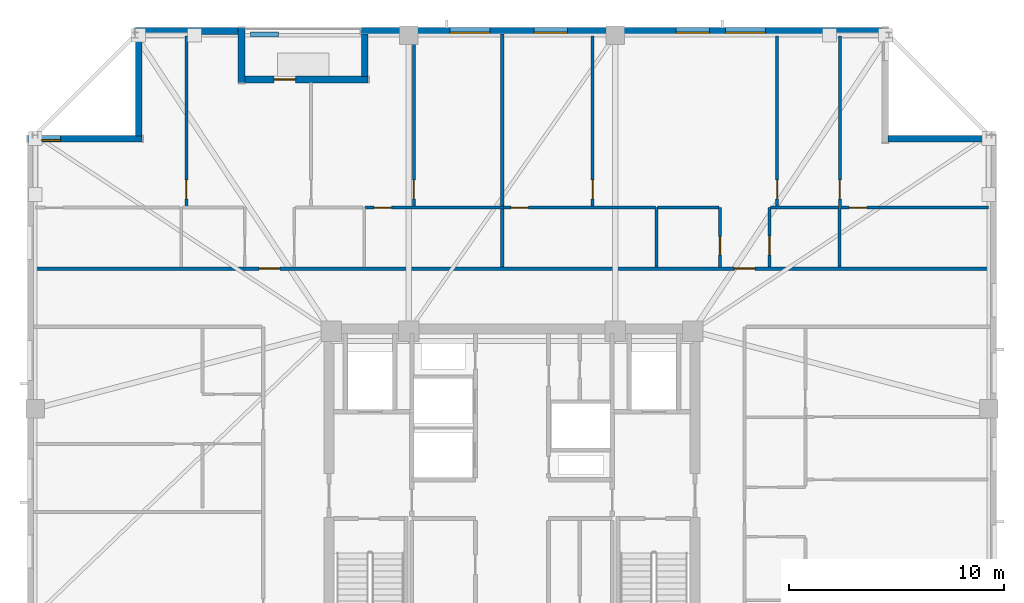
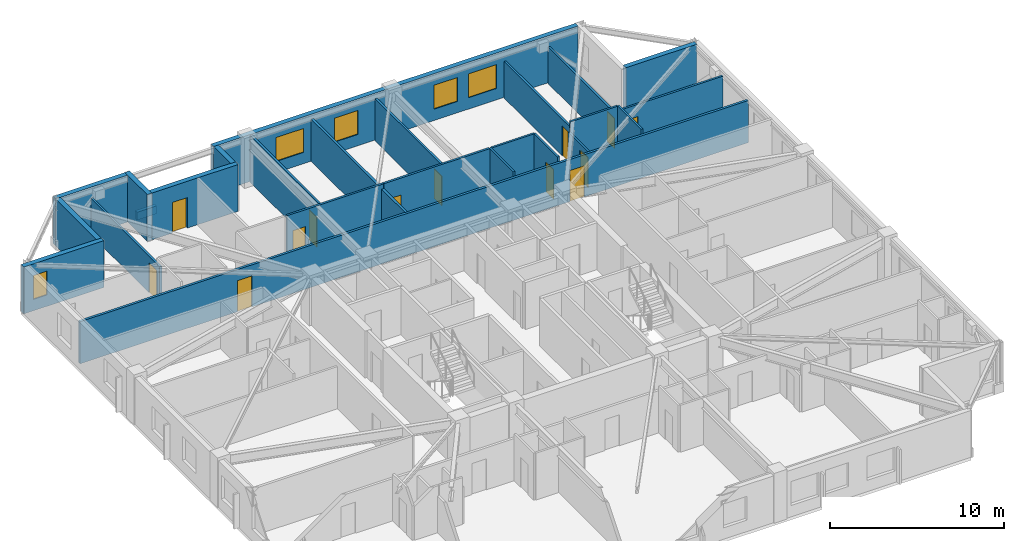
# One storey, part 11 of 17: 25 walls, 13 doors, 5 windows, 18 openings.
"""IFC4 building model written with IfcOpenShell, lengths in metres."""

from ifc_helpers import new_model, si_unit, direction, frame, frame_2d, origin, place, context, subcontext, project, spatial, rectangle, extrude, material, layer, layer_set, type_object, element, fill, save


model = new_model("IFC4")

# Units and contexts
model_context = context("Model", 3, precision=1e-05, world=origin(), true_north=direction((0.0, 1.0)))
body_context = subcontext(model_context, "Body", "Model", "MODEL_VIEW")
ifc_project = project(units=[si_unit("LENGTHUNIT", "METRE"), si_unit("AREAUNIT", "SQUARE_METRE"), si_unit("VOLUMEUNIT", "CUBIC_METRE"), si_unit("PLANEANGLEUNIT", "RADIAN"), si_unit("MASSUNIT", "GRAM", prefix="KILO")], contexts=[model_context])

# Site, building, storey
site_placement = place(None, origin())
site = spatial("IfcSite", under=ifc_project, at=site_placement, CompositionType="ELEMENT")
building_placement = place(site_placement, origin())
building = spatial("IfcBuilding", under=site, at=building_placement, Name="Cairnveth Concourse Tower", CompositionType="ELEMENT")
storey_placement = place(building_placement, frame((0.0, 0.0, 216.5)))
storey = spatial("IfcBuildingStorey", under=building, at=storey_placement, Name="L59", CompositionType="ELEMENT", Elevation=216.5)

# Wall, openings, doors
ifc_material_1 = material(Name="Gypsum Plasterboard Partition", Category="gypsum")
ifc_layer_1 = layer(ifc_material_1, 0.159912109375)
ifc_layer_set_1 = layer_set([ifc_layer_1], Name="Gypsum Plasterboard Partition")
wall_type_1 = type_object("IfcWallType", Name="ACOUSTIC PARTY WALL 180", PredefinedType="PARTITIONING", material=ifc_layer_set_1)
wall_1_placement = place(storey_placement, frame((29.804931640625, 50.31005859375, 0.0), z_axis=(0.0, 0.0, 1.0), x_axis=(1.0, 0.0, 0.0)))
wall_1 = element("IfcWall", 1, at=wall_1_placement, inside=storey, type_object=wall_type_1, Name="Interior Wall IW-L59-037", PredefinedType="PARTITIONING", context=body_context, shape_type="SweptSolid", body=[
    extrude(rectangle(XDim=44.39013671875, YDim=0.159912109375, at=frame_2d((22.195068359375, 0.0))), origin(), (0.0, 0.0, 1.0), 2.9580078125),
])
opening_1_placement = place(wall_1_placement, frame((10.447509765625, 0.0, 0.0)))
opening_1 = element("IfcOpeningElement", 2, at=opening_1_placement, cuts=wall_1, Name="Opening ID10", PredefinedType="OPENING", context=body_context, shape_type="SweptSolid", body=[
    extrude(rectangle(XDim=0.9599609375, YDim=2.179931640625, at=frame_2d((0.47998046875, 1.08984375))), frame((0.0, 0.08984375, 0.0), z_axis=(0.0, -1.0, 0.0), x_axis=(1.0, 0.0, 0.0)), (0.0, 0.0, 1.0), 0.179931640625),
])
opening_2_placement = place(wall_1_placement, frame((32.527587890625, 0.0, 0.0)))
opening_2 = element("IfcOpeningElement", 3, at=opening_2_placement, cuts=wall_1, Name="Opening ID10", PredefinedType="OPENING", context=body_context, shape_type="SweptSolid", body=[
    extrude(rectangle(XDim=0.9599609375, YDim=2.179931640625, at=frame_2d((0.47998046875, 1.08984375))), frame((0.0, 0.08984375, 0.0), z_axis=(0.0, -1.0, 0.0), x_axis=(1.0, 0.0, 0.0)), (0.0, 0.0, 1.0), 0.179931640625),
])
ifc_material_2 = material(Name="Solid Core Hardwood Timber Leaf", Category="wood")
door_type_1 = type_object("IfcDoorType", Name="FLAT ENTRANCE DOOR 960X2150", OperationType="NOTDEFINED", PredefinedType="DOOR", material=ifc_material_2)
door_1_placement = place(opening_1_placement, origin())
door_1 = element("IfcDoor", 4, at=door_1_placement, inside=storey, type_object=door_type_1, Name="Apartment L59N1 Entrance Door", OperationType="SINGLE_SWING_LEFT", OverallHeight=2.179931640625, OverallWidth=0.9599609375, PredefinedType="DOOR", context=body_context, shape_type="SweptSolid", body=[
    extrude(rectangle(XDim=0.9599609375, YDim=2.179931640625, at=frame_2d((0.47998046875, 1.08984375))), frame((0.0, 0.02490234375, 0.0), z_axis=(0.0, -1.0, 0.0), x_axis=(1.0, 0.0, 0.0)), (0.0, 0.0, 1.0), 0.050048828125),
])
fill(opening_1, door_1)
door_2_placement = place(opening_2_placement, origin())
door_2 = element("IfcDoor", 5, at=door_2_placement, inside=storey, type_object=door_type_1, Name="Apartment L59N2 Entrance Door", OperationType="SINGLE_SWING_LEFT", OverallHeight=2.179931640625, OverallWidth=0.9599609375, PredefinedType="DOOR", context=body_context, shape_type="SweptSolid", body=[
    extrude(rectangle(XDim=0.9599609375, YDim=2.179931640625, at=frame_2d((0.47998046875, 1.08984375))), frame((0.0, 0.02490234375, 0.0), z_axis=(0.0, -1.0, 0.0), x_axis=(1.0, 0.0, 0.0)), (0.0, 0.0, 1.0), 0.050048828125),
])
fill(opening_2, door_2)

# Wall
wall_2_placement = place(storey_placement, frame((51.544921875, 50.375, 0.0), z_axis=(0.0, 0.0, 1.0), x_axis=(0.0, 1.0, 0.0)))
element("IfcWall", 6, at=wall_2_placement, inside=storey, type_object=wall_type_1, Name="Interior Wall IW-L59-079", PredefinedType="PARTITIONING", context=body_context, shape_type="SweptSolid", body=[
    extrude(rectangle(XDim=10.820068359375, YDim=0.159912109375, at=frame_2d((5.41015625, 0.0))), origin(), (0.0, 0.0, 1.0), 2.9580078125),
])

# Wall, opening, door
ifc_layer_2 = layer(ifc_material_1, 0.139892578125)
ifc_layer_set_2 = layer_set([ifc_layer_2], Name="Gypsum Plasterboard Partition")
wall_type_2 = type_object("IfcWallType", Name="GYPSUM STUD PARTITION 140", PredefinedType="PARTITIONING", material=ifc_layer_set_2)
wall_3_placement = place(storey_placement, frame((36.8701171875, 53.18994140625, 0.0), z_axis=(0.0, 0.0, 1.0), x_axis=(0.0, 1.0, 0.0)))
wall_3 = element("IfcWall", 7, at=wall_3_placement, inside=storey, type_object=wall_type_2, Name="Interior Wall IW-L59-074", PredefinedType="PARTITIONING", context=body_context, shape_type="SweptSolid", body=[
    extrude(rectangle(XDim=7.93017578125, YDim=0.139892578125, at=frame_2d((3.965087890625, 0.0))), origin(), (0.0, 0.0, 1.0), 2.572998046875),
])
opening_3_placement = place(wall_3_placement, frame((0.360107421875, 0.0, 0.0)))
opening_3 = element("IfcOpeningElement", 8, at=opening_3_placement, cuts=wall_3, Name="Opening ID18", PredefinedType="OPENING", context=body_context, shape_type="SweptSolid", body=[
    extrude(rectangle(XDim=0.8798828125, YDim=2.10009765625, at=frame_2d((0.43994140625, 1.050048828125))), frame((0.0, 0.079833984375, 0.0), z_axis=(0.0, -1.0, 0.0), x_axis=(1.0, 0.0, 0.0)), (0.0, 0.0, 1.0), 0.159912109375),
])
door_type_2 = type_object("IfcDoorType", Name="INTERIOR SINGLE DOOR 880X2100", OperationType="NOTDEFINED", PredefinedType="DOOR", material=ifc_material_2)
door_3_placement = place(opening_3_placement, origin())
door_3 = element("IfcDoor", 9, at=door_3_placement, inside=storey, type_object=door_type_2, Name="L59N1 Master Bedroom Door", OperationType="SINGLE_SWING_LEFT", OverallHeight=2.10009765625, OverallWidth=0.8798828125, PredefinedType="DOOR", context=body_context, shape_type="SweptSolid", body=[
    extrude(rectangle(XDim=0.8798828125, YDim=2.10009765625, at=frame_2d((0.43994140625, 1.050048828125))), frame((0.0, 0.02490234375, 0.0), z_axis=(0.0, -1.0, 0.0), x_axis=(1.0, 0.0, 0.0)), (0.0, 0.0, 1.0), 0.050048828125),
])
fill(opening_3, door_3)

wall_4_placement = place(storey_placement, frame((47.445068359375, 53.10009765625, 0.0), z_axis=(0.0, 0.0, 1.0), x_axis=(0.0, 1.0, 0.0)))
wall_4 = element("IfcWall", 10, at=wall_4_placement, inside=storey, type_object=wall_type_2, Name="Interior Wall IW-L59-076", PredefinedType="PARTITIONING", context=body_context, shape_type="SweptSolid", body=[
    extrude(rectangle(XDim=8.02001953125, YDim=0.139892578125, at=frame_2d((4.010009765625, 0.0))), origin(), (0.0, 0.0, 1.0), 3.2900390625),
])
opening_4_placement = place(wall_4_placement, frame((0.449951171875, 0.0, 0.0)))
opening_4 = element("IfcOpeningElement", 11, at=opening_4_placement, cuts=wall_4, Name="Opening ID18", PredefinedType="OPENING", context=body_context, shape_type="SweptSolid", body=[
    extrude(rectangle(XDim=0.8798828125, YDim=2.10009765625, at=frame_2d((0.43994140625, 1.050048828125))), frame((0.0, 0.079833984375, 0.0), z_axis=(0.0, -1.0, 0.0), x_axis=(1.0, 0.0, 0.0)), (0.0, 0.0, 1.0), 0.159912109375),
])
door_4_placement = place(opening_4_placement, origin())
door_4 = element("IfcDoor", 12, at=door_4_placement, inside=storey, type_object=door_type_2, Name="L59N1 Bedroom 2 Door", OperationType="SINGLE_SWING_LEFT", OverallHeight=2.10009765625, OverallWidth=0.8798828125, PredefinedType="DOOR", context=body_context, shape_type="SweptSolid", body=[
    extrude(rectangle(XDim=0.8798828125, YDim=2.10009765625, at=frame_2d((0.43994140625, 1.050048828125))), frame((0.0, 0.02490234375, 0.0), z_axis=(0.0, -1.0, 0.0), x_axis=(1.0, 0.0, 0.0)), (0.0, 0.0, 1.0), 0.050048828125),
])
fill(opening_4, door_4)

wall_5_placement = place(storey_placement, frame((45.1826171875, 53.139892578125, 0.0), z_axis=(0.0, 0.0, 1.0), x_axis=(1.0, 0.0, 0.0)))
wall_5 = element("IfcWall", 13, at=wall_5_placement, inside=storey, type_object=wall_type_2, Name="Interior Wall IW-L59-077", PredefinedType="PARTITIONING", context=body_context, shape_type="SweptSolid", body=[
    extrude(rectangle(XDim=6.412353515625, YDim=0.139892578125, at=frame_2d((3.2060546875, 0.0))), origin(), (0.0, 0.0, 1.0), 3.2900390625),
])
opening_5_placement = place(wall_5_placement, frame((0.39990234375, 0.0, 0.0)))
opening_5 = element("IfcOpeningElement", 14, at=opening_5_placement, cuts=wall_5, Name="Opening ID22", PredefinedType="OPENING", context=body_context, shape_type="SweptSolid", body=[
    extrude(rectangle(XDim=0.820068359375, YDim=2.10009765625, at=frame_2d((0.41015625, 1.050048828125))), frame((0.0, 0.079833984375, 0.0), z_axis=(0.0, -1.0, 0.0), x_axis=(1.0, 0.0, 0.0)), (0.0, 0.0, 1.0), 0.159912109375),
])
door_type_3 = type_object("IfcDoorType", Name="INTERIOR WC DOOR 820X2100", OperationType="NOTDEFINED", PredefinedType="DOOR", material=ifc_material_2)
door_5_placement = place(opening_5_placement, origin())
door_5 = element("IfcDoor", 15, at=door_5_placement, inside=storey, type_object=door_type_3, Name="L59N1 Utility Door", OperationType="SINGLE_SWING_RIGHT", OverallHeight=2.10009765625, OverallWidth=0.820068359375, PredefinedType="DOOR", context=body_context, shape_type="SweptSolid", body=[
    extrude(rectangle(XDim=0.820068359375, YDim=2.10009765625, at=frame_2d((0.41015625, 1.050048828125))), frame((0.0, 0.02490234375, 0.0), z_axis=(0.0, -1.0, 0.0), x_axis=(1.0, 0.0, 0.0)), (0.0, 0.0, 1.0), 0.050048828125),
])
fill(opening_5, door_5)

wall_6_placement = place(storey_placement, frame((55.7451171875, 53.10009765625, 0.0), z_axis=(0.0, 0.0, 1.0), x_axis=(0.0, 1.0, 0.0)))
wall_6 = element("IfcWall", 16, at=wall_6_placement, inside=storey, type_object=wall_type_2, Name="Interior Wall IW-L59-086", PredefinedType="PARTITIONING", context=body_context, shape_type="SweptSolid", body=[
    extrude(rectangle(XDim=8.02001953125, YDim=0.139892578125, at=frame_2d((4.010009765625, 0.0))), origin(), (0.0, 0.0, 1.0), 2.9580078125),
])
opening_6_placement = place(wall_6_placement, frame((0.449951171875, 0.0, 0.0)))
opening_6 = element("IfcOpeningElement", 17, at=opening_6_placement, cuts=wall_6, Name="Opening ID18", PredefinedType="OPENING", context=body_context, shape_type="SweptSolid", body=[
    extrude(rectangle(XDim=0.8798828125, YDim=2.10009765625, at=frame_2d((0.43994140625, 1.050048828125))), frame((0.0, 0.079833984375, 0.0), z_axis=(0.0, -1.0, 0.0), x_axis=(1.0, 0.0, 0.0)), (0.0, 0.0, 1.0), 0.159912109375),
])
door_6_placement = place(opening_6_placement, origin())
door_6 = element("IfcDoor", 18, at=door_6_placement, inside=storey, type_object=door_type_2, Name="L59N2 Master Bedroom Door", OperationType="SINGLE_SWING_LEFT", OverallHeight=2.10009765625, OverallWidth=0.8798828125, PredefinedType="DOOR", context=body_context, shape_type="SweptSolid", body=[
    extrude(rectangle(XDim=0.8798828125, YDim=2.10009765625, at=frame_2d((0.43994140625, 1.050048828125))), frame((0.0, 0.02490234375, 0.0), z_axis=(0.0, -1.0, 0.0), x_axis=(1.0, 0.0, 0.0)), (0.0, 0.0, 1.0), 0.050048828125),
])
fill(opening_6, door_6)

wall_7_placement = place(storey_placement, frame((51.610107421875, 53.139892578125, 0.0), z_axis=(0.0, 0.0, 1.0), x_axis=(1.0, 0.0, 0.0)))
wall_7 = element("IfcWall", 19, at=wall_7_placement, inside=storey, type_object=wall_type_2, Name="Interior Wall IW-L59-087", PredefinedType="PARTITIONING", context=body_context, shape_type="SweptSolid", body=[
    extrude(rectangle(XDim=7.052490234375, YDim=0.139892578125, at=frame_2d((3.5263671875, 0.0))), origin(), (0.0, 0.0, 1.0), 3.2900390625),
])
opening_7_placement = place(wall_7_placement, frame((0.3349609375, 0.0, 0.0)))
opening_7 = element("IfcOpeningElement", 20, at=opening_7_placement, cuts=wall_7, Name="Opening ID22", PredefinedType="OPENING", context=body_context, shape_type="SweptSolid", body=[
    extrude(rectangle(XDim=0.820068359375, YDim=2.10009765625, at=frame_2d((0.41015625, 1.050048828125))), frame((0.0, 0.079833984375, 0.0), z_axis=(0.0, -1.0, 0.0), x_axis=(1.0, 0.0, 0.0)), (0.0, 0.0, 1.0), 0.159912109375),
])
door_7_placement = place(opening_7_placement, origin())
door_7 = element("IfcDoor", 21, at=door_7_placement, inside=storey, type_object=door_type_3, Name="L59N2 Dressing Door", OperationType="SINGLE_SWING_RIGHT", OverallHeight=2.10009765625, OverallWidth=0.820068359375, PredefinedType="DOOR", context=body_context, shape_type="SweptSolid", body=[
    extrude(rectangle(XDim=0.820068359375, YDim=2.10009765625, at=frame_2d((0.41015625, 1.050048828125))), frame((0.0, 0.02490234375, 0.0), z_axis=(0.0, -1.0, 0.0), x_axis=(1.0, 0.0, 0.0)), (0.0, 0.0, 1.0), 0.050048828125),
])
fill(opening_7, door_7)

wall_8_placement = place(storey_placement, frame((67.22998046875, 53.18994140625, 0.0), z_axis=(0.0, 0.0, 1.0), x_axis=(0.0, 1.0, 0.0)))
wall_8 = element("IfcWall", 22, at=wall_8_placement, inside=storey, type_object=wall_type_2, Name="Interior Wall IW-L59-088", PredefinedType="PARTITIONING", context=body_context, shape_type="SweptSolid", body=[
    extrude(rectangle(XDim=7.93017578125, YDim=0.139892578125, at=frame_2d((3.965087890625, 0.0))), origin(), (0.0, 0.0, 1.0), 2.572998046875),
])
opening_8_placement = place(wall_8_placement, frame((0.360107421875, 0.0, 0.0)))
opening_8 = element("IfcOpeningElement", 23, at=opening_8_placement, cuts=wall_8, Name="Opening ID18", PredefinedType="OPENING", context=body_context, shape_type="SweptSolid", body=[
    extrude(rectangle(XDim=0.8798828125, YDim=2.10009765625, at=frame_2d((0.43994140625, 1.050048828125))), frame((0.0, 0.079833984375, 0.0), z_axis=(0.0, -1.0, 0.0), x_axis=(1.0, 0.0, 0.0)), (0.0, 0.0, 1.0), 0.159912109375),
])
door_8_placement = place(opening_8_placement, origin())
door_8 = element("IfcDoor", 24, at=door_8_placement, inside=storey, type_object=door_type_2, Name="L59N2 Bedroom 2 Door", OperationType="SINGLE_SWING_LEFT", OverallHeight=2.10009765625, OverallWidth=0.8798828125, PredefinedType="DOOR", context=body_context, shape_type="SweptSolid", body=[
    extrude(rectangle(XDim=0.8798828125, YDim=2.10009765625, at=frame_2d((0.43994140625, 1.050048828125))), frame((0.0, 0.02490234375, 0.0), z_axis=(0.0, -1.0, 0.0), x_axis=(1.0, 0.0, 0.0)), (0.0, 0.0, 1.0), 0.050048828125),
])
fill(opening_8, door_8)

wall_9_placement = place(storey_placement, frame((67.284912109375, 53.139892578125, 0.0), z_axis=(0.0, 0.0, 1.0), x_axis=(1.0, 0.0, 0.0)))
wall_9 = element("IfcWall", 25, at=wall_9_placement, inside=storey, type_object=wall_type_2, Name="Interior Wall IW-L59-089", PredefinedType="PARTITIONING", context=body_context, shape_type="SweptSolid", body=[
    extrude(rectangle(XDim=6.844970703125, YDim=0.139892578125, at=frame_2d((3.42236328125, 0.0))), origin(), (0.0, 0.0, 1.0), 2.9580078125),
])
opening_9_placement = place(wall_9_placement, frame((0.37744140625, 0.0, 0.0)))
opening_9 = element("IfcOpeningElement", 26, at=opening_9_placement, cuts=wall_9, Name="Opening ID22", PredefinedType="OPENING", context=body_context, shape_type="SweptSolid", body=[
    extrude(rectangle(XDim=0.820068359375, YDim=2.10009765625, at=frame_2d((0.41015625, 1.050048828125))), frame((0.0, 0.079833984375, 0.0), z_axis=(0.0, -1.0, 0.0), x_axis=(1.0, 0.0, 0.0)), (0.0, 0.0, 1.0), 0.159912109375),
])
door_9_placement = place(opening_9_placement, origin())
door_9 = element("IfcDoor", 27, at=door_9_placement, inside=storey, type_object=door_type_3, Name="L59N2 Utility Door", OperationType="SINGLE_SWING_RIGHT", OverallHeight=2.10009765625, OverallWidth=0.820068359375, PredefinedType="DOOR", context=body_context, shape_type="SweptSolid", body=[
    extrude(rectangle(XDim=0.820068359375, YDim=2.10009765625, at=frame_2d((0.41015625, 1.050048828125))), frame((0.0, 0.02490234375, 0.0), z_axis=(0.0, -1.0, 0.0), x_axis=(1.0, 0.0, 0.0)), (0.0, 0.0, 1.0), 0.050048828125),
])
fill(opening_9, door_9)

wall_10_placement = place(storey_placement, frame((64.3125, 53.18994140625, 0.0), z_axis=(0.0, 0.0, 1.0), x_axis=(0.0, 1.0, 0.0)))
wall_10 = element("IfcWall", 28, at=wall_10_placement, inside=storey, type_object=wall_type_2, Name="Interior Wall IW-L59-090", PredefinedType="PARTITIONING", context=body_context, shape_type="SweptSolid", body=[
    extrude(rectangle(XDim=7.93017578125, YDim=0.139892578125, at=frame_2d((3.965087890625, 0.0))), origin(), (0.0, 0.0, 1.0), 2.572998046875),
])
opening_10_placement = place(wall_10_placement, frame((0.360107421875, 0.0, 0.0)))
opening_10 = element("IfcOpeningElement", 29, at=opening_10_placement, cuts=wall_10, Name="Opening ID18", PredefinedType="OPENING", context=body_context, shape_type="SweptSolid", body=[
    extrude(rectangle(XDim=0.8798828125, YDim=2.10009765625, at=frame_2d((0.43994140625, 1.050048828125))), frame((0.0, 0.079833984375, 0.0), z_axis=(0.0, -1.0, 0.0), x_axis=(1.0, 0.0, 0.0)), (0.0, 0.0, 1.0), 0.159912109375),
])
door_10_placement = place(opening_10_placement, origin())
door_10 = element("IfcDoor", 30, at=door_10_placement, inside=storey, type_object=door_type_2, Name="L59N2 Media Lounge Door", OperationType="SINGLE_SWING_RIGHT", OverallHeight=2.10009765625, OverallWidth=0.8798828125, PredefinedType="DOOR", context=body_context, shape_type="SweptSolid", body=[
    extrude(rectangle(XDim=0.8798828125, YDim=2.10009765625, at=frame_2d((0.43994140625, 1.050048828125))), frame((0.0, 0.02490234375, 0.0), z_axis=(0.0, -1.0, 0.0), x_axis=(1.0, 0.0, 0.0)), (0.0, 0.0, 1.0), 0.050048828125),
])
fill(opening_10, door_10)

# Walls
ifc_material_3 = material(Name="Dressed Melbourne Bluestone Cladding", Category="masonry")
ifc_layer_3 = layer(ifc_material_3, 0.219970703125)
ifc_layer_set_3 = layer_set([ifc_layer_3], Name="Dressed Melbourne Bluestone Cladding")
wall_type_3 = type_object("IfcWallType", Name="TERRACE PLANTER CURB WALL 220", PredefinedType="PARAPET", material=ifc_layer_set_3)
wall_11_placement = place(storey_placement, frame((39.85009765625, 61.179931640625, 0.0), z_axis=(0.0, 0.0, 1.0), x_axis=(1.0, 0.0, 0.0)))
element("IfcWall", 31, at=wall_11_placement, inside=storey, type_object=wall_type_3, Name="Exterior Wall PLNT-L59-TERR", PredefinedType="PARAPET", context=body_context, shape_type="SweptSolid", body=[
    extrude(rectangle(XDim=1.2998046875, YDim=0.219970703125, at=frame_2d((0.64990234375, 0.0))), origin(), (0.0, 0.0, 1.0), 0.550048828125),
])
ifc_layer_4 = layer(ifc_material_1, 0.1298828125)
ifc_layer_set_4 = layer_set([ifc_layer_4], Name="Gypsum Plasterboard Partition")
wall_type_4 = type_object("IfcWallType", Name="WET AREA PARTITION 140", PredefinedType="PLUMBINGWALL", material=ifc_layer_set_4)
wall_12_placement = place(storey_placement, frame((58.71240234375, 50.389892578125, 0.0), z_axis=(0.0, 0.0, 1.0), x_axis=(0.0, 1.0, 0.0)))
element("IfcWall", 32, at=wall_12_placement, inside=storey, type_object=wall_type_4, Name="Interior Wall IW-L59-080", PredefinedType="PLUMBINGWALL", context=body_context, shape_type="SweptSolid", body=[
    extrude(rectangle(XDim=2.75, YDim=0.1298828125, at=frame_2d((1.375, 0.0))), origin(), (0.0, 0.0, 1.0), 3.2900390625),
])

# Wall, opening, door
wall_13_placement = place(storey_placement, frame((61.66259765625, 50.389892578125, 0.0), z_axis=(0.0, 0.0, 1.0), x_axis=(0.0, 1.0, 0.0)))
wall_13 = element("IfcWall", 33, at=wall_13_placement, inside=storey, type_object=wall_type_4, Name="Interior Wall IW-L59-081", PredefinedType="PLUMBINGWALL", context=body_context, shape_type="SweptSolid", body=[
    extrude(rectangle(XDim=2.75, YDim=0.1298828125, at=frame_2d((1.375, 0.0))), origin(), (0.0, 0.0, 1.0), 3.2900390625),
])
opening_11_placement = place(wall_13_placement, frame((0.550048828125, 0.0, 0.0)))
opening_11 = element("IfcOpeningElement", 34, at=opening_11_placement, cuts=wall_13, Name="Opening ID21", PredefinedType="OPENING", context=body_context, shape_type="SweptSolid", body=[
    extrude(rectangle(XDim=0.85009765625, YDim=2.080078125, at=frame_2d((0.425048828125, 1.0400390625))), frame((0.0, 0.074951171875, 0.0), z_axis=(0.0, -1.0, 0.0), x_axis=(1.0, 0.0, 0.0)), (0.0, 0.0, 1.0), 0.14990234375),
])
door_type_4 = type_object("IfcDoorType", Name="INTERIOR WC DOOR 850X2100", OperationType="NOTDEFINED", PredefinedType="DOOR", material=ifc_material_2)
door_11_placement = place(opening_11_placement, origin())
door_11 = element("IfcDoor", 35, at=door_11_placement, inside=storey, type_object=door_type_4, Name="L59N2 Bathroom Door", OperationType="SINGLE_SWING_RIGHT", OverallHeight=2.080078125, OverallWidth=0.85009765625, PredefinedType="DOOR", context=body_context, shape_type="SweptSolid", body=[
    extrude(rectangle(XDim=0.85009765625, YDim=2.080078125, at=frame_2d((0.425048828125, 1.0400390625))), frame((0.0, 0.02490234375, 0.0), z_axis=(0.0, -1.0, 0.0), x_axis=(1.0, 0.0, 0.0)), (0.0, 0.0, 1.0), 0.050048828125),
])
fill(opening_11, door_11)

# Walls
wall_14_placement = place(storey_placement, frame((58.762451171875, 53.139892578125, 0.0), z_axis=(0.0, 0.0, 1.0), x_axis=(1.0, 0.0, 0.0)))
element("IfcWall", 36, at=wall_14_placement, inside=storey, type_object=wall_type_4, Name="Interior Wall IW-L59-082", PredefinedType="PLUMBINGWALL", context=body_context, shape_type="SweptSolid", body=[
    extrude(rectangle(XDim=2.85009765625, YDim=0.1298828125, at=frame_2d((1.425048828125, 0.0))), origin(), (0.0, 0.0, 1.0), 3.2900390625),
])
wall_15_placement = place(storey_placement, frame((67.21240234375, 50.389892578125, 0.0), z_axis=(0.0, 0.0, 1.0), x_axis=(0.0, 1.0, 0.0)))
element("IfcWall", 37, at=wall_15_placement, inside=storey, type_object=wall_type_4, Name="Interior Wall IW-L59-083", PredefinedType="PLUMBINGWALL", context=body_context, shape_type="SweptSolid", body=[
    extrude(rectangle(XDim=2.75, YDim=0.1298828125, at=frame_2d((1.375, 0.0))), origin(), (0.0, 0.0, 1.0), 3.2900390625),
])

# Wall, opening, door
wall_16_placement = place(storey_placement, frame((63.96240234375, 50.389892578125, 0.0), z_axis=(0.0, 0.0, 1.0), x_axis=(0.0, 1.0, 0.0)))
wall_16 = element("IfcWall", 38, at=wall_16_placement, inside=storey, type_object=wall_type_4, Name="Interior Wall IW-L59-084", PredefinedType="PLUMBINGWALL", context=body_context, shape_type="SweptSolid", body=[
    extrude(rectangle(XDim=2.75, YDim=0.1298828125, at=frame_2d((1.375, 0.0))), origin(), (0.0, 0.0, 1.0), 2.572998046875),
])
opening_12_placement = place(wall_16_placement, frame((0.550048828125, 0.0, 0.0)))
opening_12 = element("IfcOpeningElement", 39, at=opening_12_placement, cuts=wall_16, Name="Opening ID18", PredefinedType="OPENING", context=body_context, shape_type="SweptSolid", body=[
    extrude(rectangle(XDim=0.8798828125, YDim=2.10009765625, at=frame_2d((0.43994140625, 1.050048828125))), frame((0.0, 0.074951171875, 0.0), z_axis=(0.0, -1.0, 0.0), x_axis=(1.0, 0.0, 0.0)), (0.0, 0.0, 1.0), 0.14990234375),
])
door_12_placement = place(opening_12_placement, origin())
door_12 = element("IfcDoor", 40, at=door_12_placement, inside=storey, type_object=door_type_2, Name="L59N2 Kitchen Door", OperationType="SINGLE_SWING_LEFT", OverallHeight=2.10009765625, OverallWidth=0.8798828125, PredefinedType="DOOR", context=body_context, shape_type="SweptSolid", body=[
    extrude(rectangle(XDim=0.8798828125, YDim=2.10009765625, at=frame_2d((0.43994140625, 1.050048828125))), frame((0.0, 0.02490234375, 0.0), z_axis=(0.0, -1.0, 0.0), x_axis=(1.0, 0.0, 0.0)), (0.0, 0.0, 1.0), 0.050048828125),
])
fill(opening_12, door_12)

# Wall
wall_17_placement = place(storey_placement, frame((64.012451171875, 53.139892578125, 0.0), z_axis=(0.0, 0.0, 1.0), x_axis=(1.0, 0.0, 0.0)))
element("IfcWall", 41, at=wall_17_placement, inside=storey, type_object=wall_type_4, Name="Interior Wall IW-L59-085", PredefinedType="PLUMBINGWALL", context=body_context, shape_type="SweptSolid", body=[
    extrude(rectangle(XDim=3.150146484375, YDim=0.1298828125, at=frame_2d((1.5751953125, 0.0))), origin(), (0.0, 0.0, 1.0), 3.2900390625),
])

# Wall, openings, windows
ifc_material_4 = material(Name="Melbourne Buff Fired Clay Brick Masonry", Category="masonry")
ifc_layer_5 = layer(ifc_material_4, 0.320068359375)
ifc_layer_set_5 = layer_set([ifc_layer_5], Name="Melbourne Buff Fired Clay Brick Masonry")
wall_type_5 = type_object("IfcWallType", Name="ZONE 3 BRICK PIER SPANDREL WALL 320", PredefinedType="SOLIDWALL", material=ifc_layer_set_5)
wall_18_placement = place(storey_placement, frame((45.0, 61.340087890625, 0.0), z_axis=(0.0, 0.0, 1.0), x_axis=(1.0, 0.0, 0.0)))
wall_18 = element("IfcWall", 42, at=wall_18_placement, inside=storey, type_object=wall_type_5, Name="Exterior Wall EW-L59-S00", PredefinedType="SOLIDWALL", context=body_context, shape_type="SweptSolid", body=[
    extrude(rectangle(XDim=24.201904296875, YDim=0.320068359375, at=frame_2d((12.10107421875, 0.0))), origin(), (0.0, 0.0, 1.0), 3.2900390625),
])
opening_13_placement = place(wall_18_placement, frame((4.125244140625, 0.0, 0.800048828125)))
opening_13 = element("IfcOpeningElement", 43, at=opening_13_placement, cuts=wall_18, Name="Opening W08", PredefinedType="OPENING", context=body_context, shape_type="SweptSolid", body=[
    extrude(rectangle(XDim=1.85009765625, YDim=1.677978515625, at=frame_2d((0.925048828125, 0.8388671875))), frame((0.0, 0.169921875, 0.0), z_axis=(0.0, -1.0, 0.0), x_axis=(1.0, 0.0, 0.0)), (0.0, 0.0, 1.0), 0.340087890625),
])
opening_14_placement = place(wall_18_placement, frame((8.025634765625, 0.0, 0.800048828125)))
opening_14 = element("IfcOpeningElement", 44, at=opening_14_placement, cuts=wall_18, Name="Opening W07", PredefinedType="OPENING", context=body_context, shape_type="SweptSolid", body=[
    extrude(rectangle(XDim=1.550048828125, YDim=1.677978515625, at=frame_2d((0.77490234375, 0.8388671875))), frame((0.0, 0.169921875, 0.0), z_axis=(0.0, -1.0, 0.0), x_axis=(1.0, 0.0, 0.0)), (0.0, 0.0, 1.0), 0.340087890625),
])
opening_15_placement = place(wall_18_placement, frame((14.62646484375, 0.0, 0.800048828125)))
opening_15 = element("IfcOpeningElement", 45, at=opening_15_placement, cuts=wall_18, Name="Opening W07", PredefinedType="OPENING", context=body_context, shape_type="SweptSolid", body=[
    extrude(rectangle(XDim=1.550048828125, YDim=1.677978515625, at=frame_2d((0.77490234375, 0.8388671875))), frame((0.0, 0.169921875, 0.0), z_axis=(0.0, -1.0, 0.0), x_axis=(1.0, 0.0, 0.0)), (0.0, 0.0, 1.0), 0.340087890625),
])
opening_16_placement = place(wall_18_placement, frame((16.9267578125, 0.0, 0.800048828125)))
opening_16 = element("IfcOpeningElement", 46, at=opening_16_placement, cuts=wall_18, Name="Opening W08", PredefinedType="OPENING", context=body_context, shape_type="SweptSolid", body=[
    extrude(rectangle(XDim=1.85009765625, YDim=1.677978515625, at=frame_2d((0.925048828125, 0.8388671875))), frame((0.0, 0.169921875, 0.0), z_axis=(0.0, -1.0, 0.0), x_axis=(1.0, 0.0, 0.0)), (0.0, 0.0, 1.0), 0.340087890625),
])
ifc_material_5 = material(Name="Double Glazed Low-E Clear Glass", Category="glass")
window_type_1 = type_object("IfcWindowType", Name="DEEP-SET APARTMENT LIVING WINDOW 1850X1850", PartitioningType="DOUBLE_PANEL_VERTICAL", PredefinedType="WINDOW", material=ifc_material_5)
window_1_placement = place(opening_13_placement, origin())
window_1 = element("IfcWindow", 47, at=window_1_placement, inside=storey, type_object=window_type_1, Name="Gothic Lancet Window L59-0-1", OverallHeight=1.677978515625, OverallWidth=1.85009765625, PartitioningType="SINGLE_PANEL", PredefinedType="WINDOW", context=body_context, shape_type="SweptSolid", body=[
    extrude(rectangle(XDim=1.85009765625, YDim=1.677978515625, at=frame_2d((0.925048828125, 0.8388671875))), frame((0.0, -0.050048828125, 0.0), z_axis=(0.0, -1.0, 0.0), x_axis=(1.0, 0.0, 0.0)), (0.0, 0.0, 1.0), 0.06005859375),
])
fill(opening_13, window_1)
window_2_placement = place(opening_16_placement, origin())
window_2 = element("IfcWindow", 48, at=window_2_placement, inside=storey, type_object=window_type_1, Name="Gothic Lancet Window L59-0-5", OverallHeight=1.677978515625, OverallWidth=1.85009765625, PartitioningType="SINGLE_PANEL", PredefinedType="WINDOW", context=body_context, shape_type="SweptSolid", body=[
    extrude(rectangle(XDim=1.85009765625, YDim=1.677978515625, at=frame_2d((0.925048828125, 0.8388671875))), frame((0.0, -0.050048828125, 0.0), z_axis=(0.0, -1.0, 0.0), x_axis=(1.0, 0.0, 0.0)), (0.0, 0.0, 1.0), 0.06005859375),
])
fill(opening_16, window_2)
window_type_2 = type_object("IfcWindowType", Name="DEEP-SET APARTMENT WINDOW 1550X1800", PartitioningType="DOUBLE_PANEL_VERTICAL", PredefinedType="WINDOW", material=ifc_material_5)
window_3_placement = place(opening_14_placement, origin())
window_3 = element("IfcWindow", 49, at=window_3_placement, inside=storey, type_object=window_type_2, Name="Gothic Lancet Window L59-0-2", OverallHeight=1.677978515625, OverallWidth=1.550048828125, PartitioningType="SINGLE_PANEL", PredefinedType="WINDOW", context=body_context, shape_type="SweptSolid", body=[
    extrude(rectangle(XDim=1.550048828125, YDim=1.677978515625, at=frame_2d((0.77490234375, 0.8388671875))), frame((0.0, -0.050048828125, 0.0), z_axis=(0.0, -1.0, 0.0), x_axis=(1.0, 0.0, 0.0)), (0.0, 0.0, 1.0), 0.06005859375),
])
fill(opening_14, window_3)
window_4_placement = place(opening_15_placement, origin())
window_4 = element("IfcWindow", 50, at=window_4_placement, inside=storey, type_object=window_type_2, Name="Gothic Lancet Window L59-0-4", OverallHeight=1.677978515625, OverallWidth=1.550048828125, PartitioningType="SINGLE_PANEL", PredefinedType="WINDOW", context=body_context, shape_type="SweptSolid", body=[
    extrude(rectangle(XDim=1.550048828125, YDim=1.677978515625, at=frame_2d((0.77490234375, 0.8388671875))), frame((0.0, -0.050048828125, 0.0), z_axis=(0.0, -1.0, 0.0), x_axis=(1.0, 0.0, 0.0)), (0.0, 0.0, 1.0), 0.06005859375),
])
fill(opening_15, window_4)

# Wall
wall_19_placement = place(storey_placement, frame((69.47802734375, 56.340087890625, 0.0), z_axis=(0.0, 0.0, 1.0), x_axis=(1.0, 0.0, 0.0)))
element("IfcWall", 51, at=wall_19_placement, inside=storey, type_object=wall_type_5, Name="Exterior Wall EW-L59-S02", PredefinedType="SOLIDWALL", context=body_context, shape_type="SweptSolid", body=[
    extrude(rectangle(XDim=4.723876953125, YDim=0.320068359375, at=frame_2d((2.36181640625, 0.0))), origin(), (0.0, 0.0, 1.0), 3.2900390625),
])

# Wall, opening, window
wall_20_placement = place(storey_placement, frame((29.5, 56.340087890625, 0.0), z_axis=(0.0, 0.0, 1.0), x_axis=(1.0, 0.0, 0.0)))
wall_20 = element("IfcWall", 52, at=wall_20_placement, inside=storey, type_object=wall_type_5, Name="Exterior Wall EW-L59-S10", PredefinedType="SOLIDWALL", context=body_context, shape_type="SweptSolid", body=[
    extrude(rectangle(XDim=5.320068359375, YDim=0.320068359375, at=frame_2d((2.66015625, 0.0))), origin(), (0.0, 0.0, 1.0), 3.2900390625),
])
opening_17_placement = place(wall_20_placement, frame((0.6298828125, 0.0, 0.800048828125)))
opening_17 = element("IfcOpeningElement", 53, at=opening_17_placement, cuts=wall_20, Name="Opening W13", PredefinedType="OPENING", context=body_context, shape_type="SweptSolid", body=[
    extrude(rectangle(XDim=0.89990234375, YDim=1.677978515625, at=frame_2d((0.449951171875, 0.8388671875))), frame((0.0, 0.169921875, 0.0), z_axis=(0.0, -1.0, 0.0), x_axis=(1.0, 0.0, 0.0)), (0.0, 0.0, 1.0), 0.340087890625),
])
window_type_3 = type_object("IfcWindowType", Name="DEEP-SET BEDROOM LANCET WINDOW 900X1750", PartitioningType="DOUBLE_PANEL_VERTICAL", PredefinedType="WINDOW", material=ifc_material_5)
window_5_placement = place(opening_17_placement, origin())
window_5 = element("IfcWindow", 54, at=window_5_placement, inside=storey, type_object=window_type_3, Name="Dwelling Lancet Window L59-DW3", OverallHeight=1.677978515625, OverallWidth=0.89990234375, PartitioningType="SINGLE_PANEL", PredefinedType="WINDOW", context=body_context, shape_type="SweptSolid", body=[
    extrude(rectangle(XDim=0.89990234375, YDim=1.677978515625, at=frame_2d((0.449951171875, 0.8388671875))), frame((0.0, -0.0400390625, 0.0), z_axis=(0.0, -1.0, 0.0), x_axis=(1.0, 0.0, 0.0)), (0.0, 0.0, 1.0), 0.06005859375),
])
fill(opening_17, window_5)

# Walls
wall_21_placement = place(storey_placement, frame((34.659912109375, 56.47802734375, 0.0), z_axis=(0.0, 0.0, 1.0), x_axis=(0.0, 1.0, 0.0)))
element("IfcWall", 55, at=wall_21_placement, inside=storey, type_object=wall_type_5, Name="Exterior Wall EW-L59-S11", PredefinedType="SOLIDWALL", context=body_context, shape_type="SweptSolid", body=[
    extrude(rectangle(XDim=4.723876953125, YDim=0.320068359375, at=frame_2d((2.36181640625, 0.0))), origin(), (0.0, 0.0, 1.0), 3.2900390625),
])
wall_22_placement = place(storey_placement, frame((34.5, 61.340087890625, 0.0), z_axis=(0.0, 0.0, 1.0), x_axis=(1.0, 0.0, 0.0)))
element("IfcWall", 56, at=wall_22_placement, inside=storey, type_object=wall_type_5, Name="Exterior Wall EW-L59-S12", PredefinedType="SOLIDWALL", context=body_context, shape_type="SweptSolid", body=[
    extrude(rectangle(XDim=4.802001953125, YDim=0.320068359375, at=frame_2d((2.40087890625, 0.0))), origin(), (0.0, 0.0, 1.0), 3.2900390625),
])
wall_23_placement = place(storey_placement, frame((39.43994140625, 61.5, 0.0), z_axis=(0.0, 0.0, 1.0), x_axis=(0.0, -1.0, 0.0)))
element("IfcWall", 57, at=wall_23_placement, inside=storey, type_object=wall_type_5, Name="Exterior Wall EW-L59-S13", PredefinedType="SOLIDWALL", context=body_context, shape_type="SweptSolid", body=[
    extrude(rectangle(XDim=2.570068359375, YDim=0.320068359375, at=frame_2d((1.28515625, 0.0))), origin(), (0.0, 0.0, 1.0), 3.2900390625),
])

# Wall, opening, door
wall_24_placement = place(storey_placement, frame((39.577880859375, 59.090087890625, 0.0), z_axis=(0.0, 0.0, 1.0), x_axis=(1.0, 0.0, 0.0)))
wall_24 = element("IfcWall", 58, at=wall_24_placement, inside=storey, type_object=wall_type_5, Name="Exterior Wall EW-L59-S14", PredefinedType="SOLIDWALL", context=body_context, shape_type="SweptSolid", body=[
    extrude(rectangle(XDim=5.7421875, YDim=0.320068359375, at=frame_2d((2.87109375, 0.0))), origin(), (0.0, 0.0, 1.0), 3.2900390625),
])
opening_18_placement = place(wall_24_placement, frame((1.37109375, 0.0, 0.0)))
opening_18 = element("IfcOpeningElement", 59, at=opening_18_placement, cuts=wall_24, Name="Opening ED4", PredefinedType="OPENING", context=body_context, shape_type="SweptSolid", body=[
    extrude(rectangle(XDim=1.0, YDim=2.14990234375, at=frame_2d((0.5, 1.074951171875))), frame((0.0, 0.169921875, 0.0), z_axis=(0.0, -1.0, 0.0), x_axis=(1.0, 0.0, 0.0)), (0.0, 0.0, 1.0), 0.340087890625),
])
ifc_material_6 = material(Name="Architectural Bronze Anodised Aluminium 6063-T6", Category="aluminium")
door_type_5 = type_object("IfcDoorType", Name="TERRACE GLAZED DOOR 1000X2150", OperationType="NOTDEFINED", PredefinedType="DOOR", material=ifc_material_6)
door_13_placement = place(opening_18_placement, origin())
door_13 = element("IfcDoor", 60, at=door_13_placement, inside=storey, type_object=door_type_5, Name="Spiral Terrace Door L59", OperationType="SINGLE_SWING_RIGHT", OverallHeight=2.14990234375, OverallWidth=1.0, PredefinedType="DOOR", context=body_context, shape_type="SweptSolid", body=[
    extrude(rectangle(XDim=1.0, YDim=2.14990234375, at=frame_2d((0.5, 1.074951171875))), frame((0.0, 0.02490234375, 0.0), z_axis=(0.0, -1.0, 0.0), x_axis=(1.0, 0.0, 0.0)), (0.0, 0.0, 1.0), 0.050048828125),
])
fill(opening_18, door_13)

# Wall
wall_25_placement = place(storey_placement, frame((45.159912109375, 59.22802734375, 0.0), z_axis=(0.0, 0.0, 1.0), x_axis=(0.0, 1.0, 0.0)))
element("IfcWall", 61, at=wall_25_placement, inside=storey, type_object=wall_type_5, Name="Exterior Wall EW-L59-S15", PredefinedType="SOLIDWALL", context=body_context, shape_type="SweptSolid", body=[
    extrude(rectangle(XDim=1.973876953125, YDim=0.320068359375, at=frame_2d((0.98681640625, 0.0))), origin(), (0.0, 0.0, 1.0), 3.2900390625),
])

save(model, "model.ifc")
